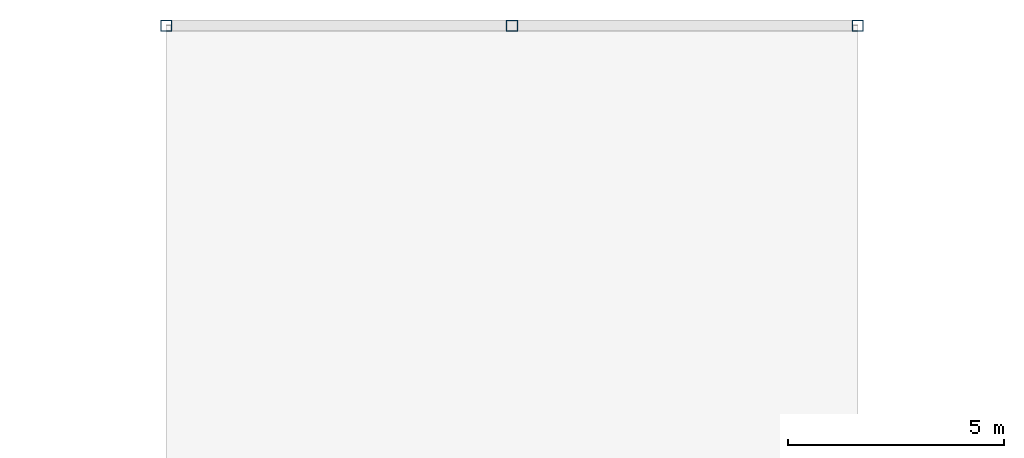
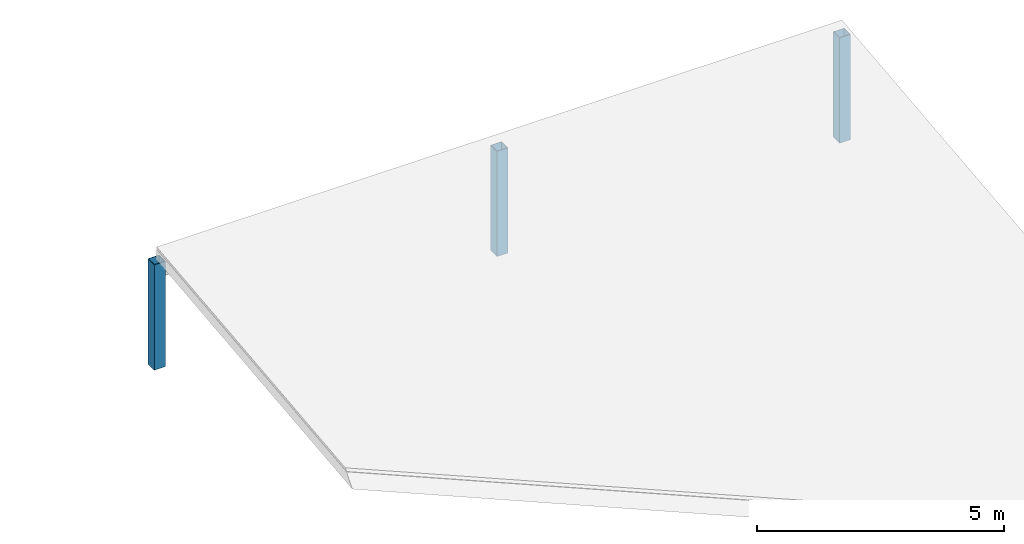
# One storey, part 1 of 34: 3 columns.
"""IFC4 building model written with IfcOpenShell, lengths in metres."""

from ifc_helpers import new_model, si_unit, direction, frame, origin, origin_2d, place, context, subcontext, project, spatial, hollow_rectangle, extrude, material, material_profile, profile_set, type_object, element, save


model = new_model("IFC4")

# Units and contexts
model_context = context("Model", 3, precision=1e-05, world=origin(), true_north=direction((0.0, 1.0)))
body_context = subcontext(model_context, "Body", "Model", "MODEL_VIEW")
ifc_project = project(units=[si_unit("LENGTHUNIT", "METRE"), si_unit("AREAUNIT", "SQUARE_METRE"), si_unit("VOLUMEUNIT", "CUBIC_METRE"), si_unit("PLANEANGLEUNIT", "RADIAN"), si_unit("MASSUNIT", "GRAM", prefix="KILO")], contexts=[model_context])

# Site, building, storey
site_placement = place(None, origin())
site = spatial("IfcSite", under=ifc_project, at=site_placement, CompositionType="ELEMENT")
building_placement = place(site_placement, origin())
building = spatial("IfcBuilding", under=site, at=building_placement, Name="Qorikala Patio Media Centre", CompositionType="ELEMENT")
storey_placement = place(building_placement, frame((0.0, 0.0, 32.699951171875)))
storey = spatial("IfcBuildingStorey", under=building, at=storey_placement, Name="RF", CompositionType="ELEMENT", Elevation=32.699951171875)

# Columns
ifc_material = material(Name="Steel S355", Category="steel")
ifc_material_profile = material_profile(ifc_material, hollow_rectangle(XDim=0.260009765625, YDim=0.260009765625, WallThickness=0.011962890625, at=origin_2d()), Name="HSS260X260X12")
ifc_profile_set = profile_set([ifc_material_profile], Name="Steel S355")
column_type = type_object("IfcColumnType", Name="SCOL-HSS260X260X12", PredefinedType="COLUMN", material=ifc_profile_set)
for number, where, z_axis, x_axis, name in (
    (1, (19.0, 59.0, 0.0), (0.0, 0.0, 1.0), (1.0, 0.0, 0.0), "Screen Pavilion Canopy Column (19,59)"),
    (2, (27.0, 59.0, 0.0), (0.0, 0.0, 1.0), (1.0, 0.0, 0.0), "Screen Pavilion Canopy Column (27,59)"),
    (3, (35.0, 59.0, 0.0), (0.0, 0.0, 1.0), (1.0, 0.0, 0.0), "Screen Pavilion Canopy Column (35,59)"),
):
    element("IfcColumn", number, at=place(storey_placement, frame(where, z_axis=z_axis, x_axis=x_axis)), inside=storey, type_object=column_type, Name=name, PredefinedType="COLUMN", context=body_context, shape_type="SweptSolid", body=[
        extrude(hollow_rectangle(XDim=0.260009765625, YDim=0.260009765625, WallThickness=0.011962890625, at=origin_2d()), origin(), (0.0, 0.0, 1.0), 2.60009765625),
    ])

save(model, "model.ifc")
